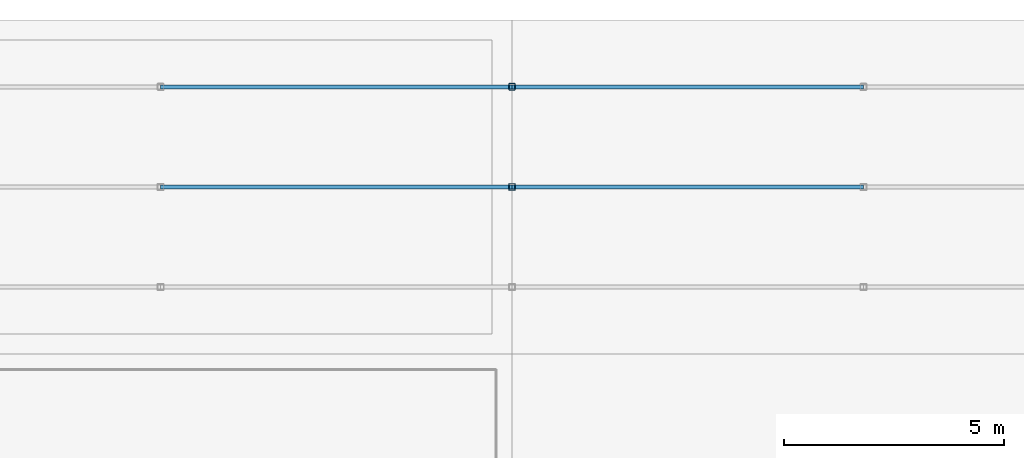
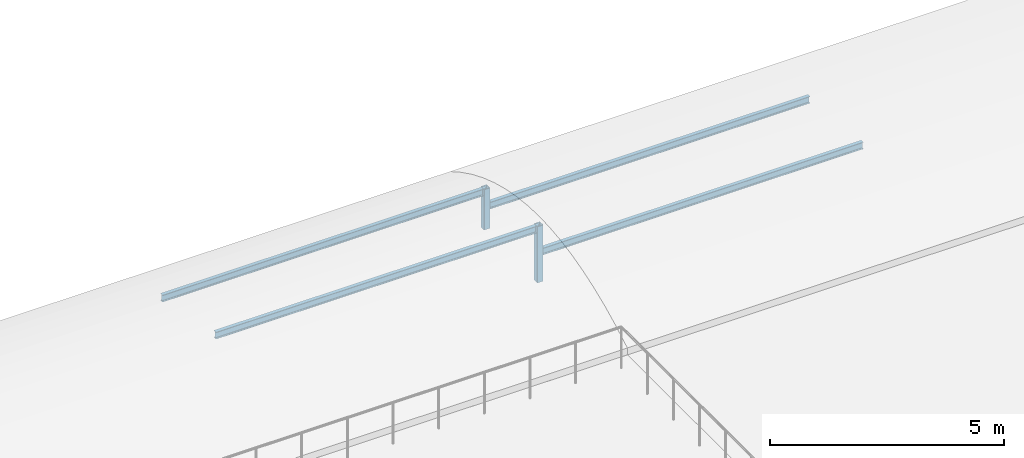
# One storey, part 24 of 46: 6 members.
"""IFC4 building model written with IfcOpenShell, lengths in metres."""

from ifc_helpers import new_model, si_unit, direction, frame, origin, origin_2d, place, context, subcontext, project, spatial, hollow_rectangle, i_section, extrude, material, material_profile, profile_set, type_object, element, save


model = new_model("IFC4")

# Units and contexts
model_context = context("Model", 3, precision=1e-05, world=origin(), true_north=direction((0.0, 1.0)))
body_context = subcontext(model_context, "Body", "Model", "MODEL_VIEW")
ifc_project = project(units=[si_unit("LENGTHUNIT", "METRE"), si_unit("AREAUNIT", "SQUARE_METRE"), si_unit("VOLUMEUNIT", "CUBIC_METRE"), si_unit("PLANEANGLEUNIT", "RADIAN"), si_unit("MASSUNIT", "GRAM", prefix="KILO")], contexts=[model_context])

# Site, building, storey
site_placement = place(None, origin())
site = spatial("IfcSite", under=ifc_project, at=site_placement, CompositionType="ELEMENT")
building_placement = place(site_placement, origin())
building = spatial("IfcBuilding", under=site, at=building_placement, Name="Shalkamar Park Central Library", CompositionType="ELEMENT")
storey_placement = place(building_placement, frame((0.0, 0.0, 20.39990234375)))
storey = spatial("IfcBuildingStorey", under=building, at=storey_placement, Name="L05", CompositionType="ELEMENT", Elevation=20.39990234375)

# Members
ifc_material = material(Name="Steel S355", Category="steel")
ifc_material_profile_1 = material_profile(ifc_material, hollow_rectangle(XDim=0.14990234375, YDim=0.14990234375, WallThickness=0.008056640625, InnerFilletRadius=0.008056640625, OuterFilletRadius=0.011962890625, at=origin_2d()), Name="SHS 150x150x8")
ifc_profile_set_1 = profile_set([ifc_material_profile_1], Name="Steel S355")
member_type_1 = type_object("IfcMemberType", Name="Diagonal Brace SHS150", PredefinedType="BRACE", material=ifc_profile_set_1)
member_1_placement = place(storey_placement, frame((221.0, 312.199951171875, -0.35986328125), z_axis=(0.0, 0.0, 1.0), x_axis=(1.0, 0.0, 0.0)))
element("IfcMember", 1, at=member_1_placement, inside=storey, type_object=member_type_1, Name="Vault Arch Post BV-L04-N2-14.2", PredefinedType="BRACE", context=body_context, shape_type="SweptSolid", body=[
    extrude(hollow_rectangle(XDim=0.14990234375, YDim=0.14990234375, WallThickness=0.008056640625, InnerFilletRadius=0.008056640625, OuterFilletRadius=0.011962890625, at=origin_2d()), origin(), (0.0, 0.0, 1.0), 1.469970703125),
])
member_2_placement = place(storey_placement, frame((221.0, 314.47998046875, -0.35986328125), z_axis=(0.0, 0.0, 1.0), x_axis=(1.0, 0.0, 0.0)))
element("IfcMember", 2, at=member_2_placement, inside=storey, type_object=member_type_1, Name="Vault Arch Post BV-L04-N2-14.3", PredefinedType="BRACE", context=body_context, shape_type="SweptSolid", body=[
    extrude(hollow_rectangle(XDim=0.14990234375, YDim=0.14990234375, WallThickness=0.008056640625, InnerFilletRadius=0.008056640625, OuterFilletRadius=0.011962890625, at=origin_2d()), origin(), (0.0, 0.0, 1.0), 1.055908203125),
])
ifc_material_profile_2 = material_profile(ifc_material, i_section(OverallWidth=0.091064453125, OverallDepth=0.179931640625, WebThickness=0.00537109375, FlangeThickness=0.008056640625, FilletRadius=0.009033203125, at=origin_2d()), Name="IPE 180")
ifc_profile_set_2 = profile_set([ifc_material_profile_2], Name="Steel S355")
member_type_2 = type_object("IfcMemberType", Name="Roof Purlin IPE180", PredefinedType="PURLIN", material=ifc_profile_set_2)
for number, where, z_axis, x_axis, name in (
    (3, (221.0, 312.199951171875, 0.39013671875), (1.0, 0.0, 0.0), (0.0, 1.0, 0.0), "Barrel Roof Purlin BV-L04-N2-2.14"),
    (4, (221.0, 314.47998046875, 0.202880859375), (1.0, 0.0, 0.0), (0.0, 1.0, 0.0), "Barrel Roof Purlin BV-L04-N2-3.14"),
    (5, (213.0, 312.199951171875, 1.02001953125), (1.0, 0.0, 0.0), (0.0, 1.0, 0.0), "Barrel Roof Purlin BV-L04-NN-2.13"),
    (6, (213.0, 314.47998046875, 0.606201171875), (1.0, 0.0, 0.0), (0.0, 1.0, 0.0), "Barrel Roof Purlin BV-L04-NN-3.13"),
):
    element("IfcMember", number, at=place(storey_placement, frame(where, z_axis=z_axis, x_axis=x_axis)), inside=storey, type_object=member_type_2, Name=name, PredefinedType="PURLIN", context=body_context, shape_type="SweptSolid", body=[
        extrude(i_section(OverallWidth=0.091064453125, OverallDepth=0.179931640625, WebThickness=0.00537109375, FlangeThickness=0.008056640625, FilletRadius=0.009033203125, at=origin_2d()), origin(), (0.0, 0.0, 1.0), 8.0),
    ])

save(model, "model.ifc")
